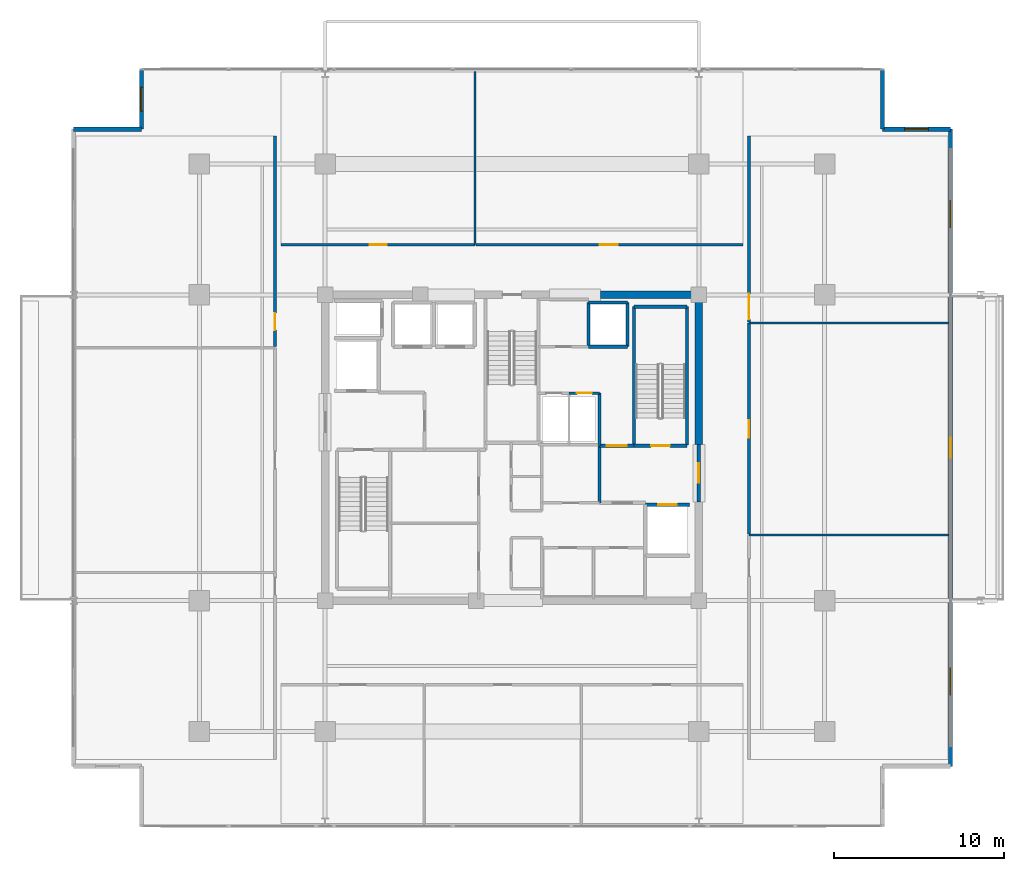
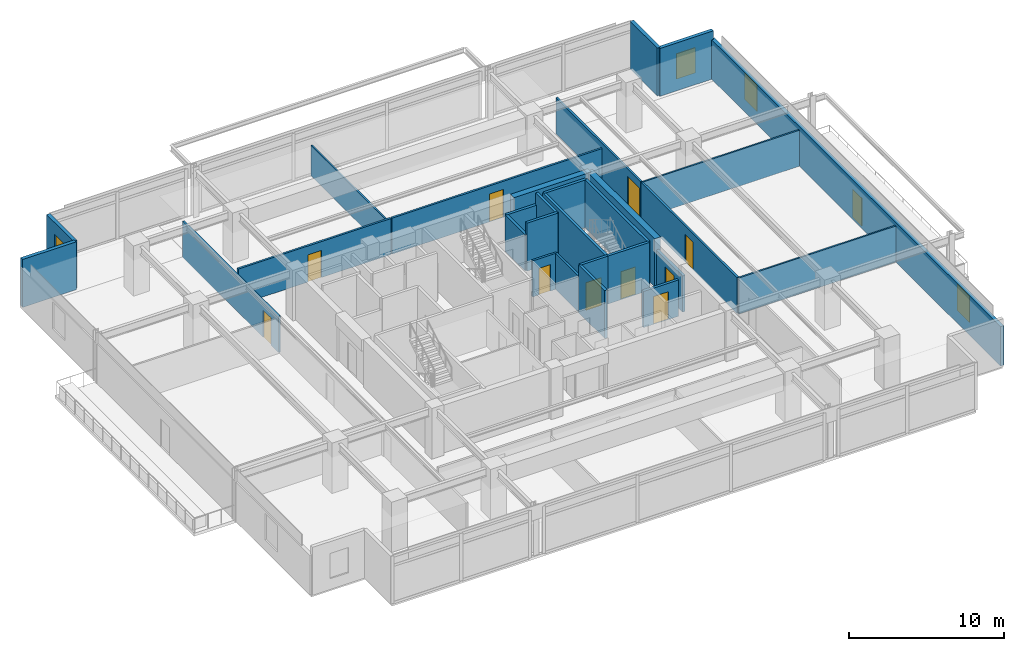
# One storey, part 15 of 20: 29 walls, 11 doors, 4 windows, 15 openings.
"""IFC4 building model written with IfcOpenShell, lengths in metres."""

import ifcopenshell
import ifcopenshell.guid

model = None  # the IFC model being written
_history = None  # IfcOwnerHistory: only IFC2X3 demands one
_inside = {}  # id of a spatial element -> (the spatial element, [elements in it])
_under = {}  # id of a project, library or spatial element -> (it, [spatial elements below it])
_declared = {}  # id of a project -> (the project, [libraries it declares])
_typed = {}  # id of a type object -> (the type object, [elements of that type])
_made_of = {}  # id of a material, layer set ... -> (it, [elements and type objects made of it])


def new_model(schema):
    """Start an empty IFC model of exactly this schema.

    Asked for "IFC4X3", IfcOpenShell would pick the latest addendum, in which some entities
    have other attributes; the version numbers below select the first issue.
    IFC2X3 requires an IfcOwnerHistory on every rooted entity: one is made here for all.
    """
    global model, _history
    if schema == "IFC4X3":
        model = ifcopenshell.file(schema_version=(4, 3, 0, 0))
    else:
        model = ifcopenshell.file(schema=schema)
    _inside.clear()
    _under.clear()
    _declared.clear()
    _typed.clear()
    _made_of.clear()
    _history = None
    if model.schema == "IFC2X3":
        org = make("IfcOrganization", Name="unknown")
        user = make(
            "IfcPersonAndOrganization",
            ThePerson=make("IfcPerson", FamilyName="unknown"),
            TheOrganization=org,
        )
        app = make(
            "IfcApplication",
            ApplicationDeveloper=org,
            Version="unknown",
            ApplicationFullName="unknown",
            ApplicationIdentifier="unknown",
        )
        _history = make(
            "IfcOwnerHistory",
            OwningUser=user,
            OwningApplication=app,
            ChangeAction="ADDED",
            CreationDate=0,
        )
    return model


def make(cls, **values):
    """One entity of the class cls with the attributes given. An attribute that is None is left unset."""
    return model.create_entity(
        cls, **{name: value for name, value in values.items() if value is not None}
    )


def rooted(cls, **values):
    """An entity with a GlobalId (a new one), such as an element, a storey or a relation."""
    return make(cls, GlobalId=ifcopenshell.guid.new(), OwnerHistory=_history, **values)


def si_unit(unit_type, name, prefix=None):
    """IfcSIUnit, for example si_unit("LENGTHUNIT", "METRE", prefix="MILLI")."""
    return make("IfcSIUnit", UnitType=unit_type, Prefix=prefix, Name=name)


def assignment(units):
    """IfcUnitAssignment: the units of a project."""
    return None if units is None else make("IfcUnitAssignment", Units=units)


def point(xyz):
    """IfcCartesianPoint."""
    return None if xyz is None else make("IfcCartesianPoint", Coordinates=xyz)


def direction(xyz):
    """IfcDirection."""
    return None if xyz is None else make("IfcDirection", DirectionRatios=xyz)


def frame(location, z_axis=None, x_axis=None):
    """IfcAxis2Placement3D, a coordinate frame: its origin and axes. An axis left out is left unset."""
    return make(
        "IfcAxis2Placement3D",
        Location=point(location),
        Axis=direction(z_axis),
        RefDirection=direction(x_axis),
    )


def frame_2d(location, x_axis=None):
    """IfcAxis2Placement2D, a coordinate frame in the plane: its origin and x axis."""
    return make(
        "IfcAxis2Placement2D", Location=point(location), RefDirection=direction(x_axis)
    )


def origin():
    """The frame at (0, 0, 0) with its axes left unset."""
    return frame((0.0, 0.0, 0.0))


def place(relative_to, where):
    """IfcLocalPlacement: puts the frame where relative to a parent placement (None: the world)."""
    return make(
        "IfcLocalPlacement", PlacementRelTo=relative_to, RelativePlacement=where
    )


def context(
    kind, dimensions, precision=None, world=None, true_north=None, identifier=None
):
    """IfcGeometricRepresentationContext, for example the 3D "Model" context."""
    return make(
        "IfcGeometricRepresentationContext",
        ContextIdentifier=identifier,
        ContextType=kind,
        CoordinateSpaceDimension=dimensions,
        Precision=precision,
        WorldCoordinateSystem=world,
        TrueNorth=true_north,
    )


def subcontext(parent, identifier, kind, view, scale=None):
    """IfcGeometricRepresentationSubContext, for example "Body" below "Model"."""
    return make(
        "IfcGeometricRepresentationSubContext",
        ContextIdentifier=identifier,
        ContextType=kind,
        ParentContext=parent,
        TargetScale=scale,
        TargetView=view,
    )


def project(units=None, contexts=None):
    """IfcProject with its units and contexts."""
    return rooted(
        "IfcProject",
        Name="project",
        RepresentationContexts=contexts,
        UnitsInContext=assignment(units),
    )


def spatial(cls, under=None, at=None, **own):
    """A site, building, storey or space (cls), placed at a placement, below another one or the project."""
    s = rooted(cls, ObjectPlacement=at, **own)
    if under is not None:
        _under.setdefault(under.id(), (under, []))[1].append(s)
    return s


def profile(cls, at=None, kind="AREA", **sizes):
    """A parametric profile (cls). Its sizes go by their IFC names, for example OverallWidth=200.0."""
    return make(cls, ProfileType=kind, Position=at, **sizes)


def rectangle(**sizes):
    """IfcRectangleProfileDef."""
    return profile("IfcRectangleProfileDef", **sizes)


def extrude(swept, where, along, depth):
    """IfcExtrudedAreaSolid: the profile swept, set in the frame where, extruded along a direction by depth."""
    return make(
        "IfcExtrudedAreaSolid",
        SweptArea=swept,
        Position=where,
        ExtrudedDirection=direction(along),
        Depth=depth,
    )


def shape(context_of_items, identifier, shape_type, items):
    """IfcShapeRepresentation: the items that make up one representation, for example the "Body"."""
    return make(
        "IfcShapeRepresentation",
        ContextOfItems=context_of_items,
        RepresentationIdentifier=identifier,
        RepresentationType=shape_type,
        Items=items,
    )


def material(Name=None, Category=None):
    """IfcMaterial."""
    return make("IfcMaterial", Name=Name, Category=Category)


def layer(
    of_material, thickness, ventilated=None, Name=None, Category=None, Priority=None
):
    """IfcMaterialLayer: one layer of a wall or slab, of a material (None: an air gap)."""
    return make(
        "IfcMaterialLayer",
        Material=of_material,
        LayerThickness=thickness,
        IsVentilated=ventilated,
        Name=Name,
        Category=Category,
        Priority=Priority,
    )


def layer_set(layers, Name=None):
    """IfcMaterialLayerSet."""
    return make("IfcMaterialLayerSet", MaterialLayers=layers, LayerSetName=Name)


def made_of(thing, what):
    """Note that an element or type object is made of a material, layer set ...; save() writes the relation."""
    if what is not None:
        _made_of.setdefault(what.id(), (what, []))[1].append(thing)
    return thing


def type_object(cls, material=None, **own):
    """A type object (cls), such as IfcWallType, which elements share."""
    return made_of(rooted(cls, **own), material)


def element(
    cls,
    number,
    at=None,
    inside=None,
    cuts=None,
    type_object=None,
    material=None,
    context=None,
    identifier="Body",
    shape_type=None,
    held_by="IfcProductDefinitionShape",
    body=None,
    shapes=None,
    **own,
):
    """One element of the class cls, such as IfcWall. Its Tag is "e" and its number.

    at: its placement. inside: the storey or other place that contains it. cuts: it is an
    opening in that element (IfcRelVoidsElement). A single representation is given by context,
    identifier, shape_type and body (its items); several are given by shapes. held_by: the class
    of the entity that holds the representations. save() writes the other relations.
    """
    e = rooted(cls, Tag="e%d" % number, ObjectPlacement=at, **own)
    if body is not None:
        shapes = [shape(context, identifier, shape_type, body)]
    if shapes is not None:
        e.Representation = make(held_by, Representations=shapes)
    if inside is not None:
        _inside.setdefault(inside.id(), (inside, []))[1].append(e)
    if cuts is not None:
        rooted(
            "IfcRelVoidsElement", RelatingBuildingElement=cuts, RelatedOpeningElement=e
        )
    if type_object is not None:
        _typed.setdefault(type_object.id(), (type_object, []))[1].append(e)
    return made_of(e, material)


def fill(opening, filler):
    """IfcRelFillsElement: the door or window that sits in an opening."""
    return rooted(
        "IfcRelFillsElement",
        RelatingOpeningElement=opening,
        RelatedBuildingElement=filler,
    )


def aggregate(whole, parts):
    """IfcRelAggregates: a whole, such as a stair, and the parts it consists of."""
    return rooted("IfcRelAggregates", RelatingObject=whole, RelatedObjects=parts)


def save(model, path):
    """Write the relations noted so far, then the file.

    IfcRelAggregates (storeys below a building ...), IfcRelContainedInSpatialStructure (elements
    in a storey), IfcRelDefinesByType, IfcRelAssociatesMaterial and IfcRelDeclares: one each for
    every whole, place, type object, material and project.
    """
    for whole, parts in _under.values():
        aggregate(whole, parts)
    for where, things in _inside.values():
        rooted(
            "IfcRelContainedInSpatialStructure",
            RelatedElements=things,
            RelatingStructure=where,
        )
    for kind, things in _typed.values():
        rooted("IfcRelDefinesByType", RelatedObjects=things, RelatingType=kind)
    for what, things in _made_of.values():
        rooted("IfcRelAssociatesMaterial", RelatedObjects=things, RelatingMaterial=what)
    for by, libraries in _declared.values():
        rooted("IfcRelDeclares", RelatingContext=by, RelatedDefinitions=libraries)
    model.write(path)


model = new_model("IFC4")

# Units and contexts
model_context = context("Model", 3, precision=1e-05, world=origin(), true_north=direction((0.0, 1.0)))
body_context = subcontext(model_context, "Body", "Model", "MODEL_VIEW")
ifc_project = project(units=[si_unit("LENGTHUNIT", "METRE"), si_unit("AREAUNIT", "SQUARE_METRE"), si_unit("VOLUMEUNIT", "CUBIC_METRE"), si_unit("PLANEANGLEUNIT", "RADIAN"), si_unit("MASSUNIT", "GRAM", prefix="KILO")], contexts=[model_context])

# Site, building, storey
site_placement = place(None, origin())
site = spatial("IfcSite", under=ifc_project, at=site_placement, CompositionType="ELEMENT")
building_placement = place(site_placement, origin())
building = spatial("IfcBuilding", under=site, at=building_placement, Name="Kovane Verandah Tower", CompositionType="ELEMENT")
storey_placement = place(building_placement, frame((0.0, 0.0, 279.199951171875)))
storey = spatial("IfcBuildingStorey", under=building, at=storey_placement, Name="L65", CompositionType="ELEMENT", Elevation=279.199951171875)

# Wall
ifc_material_1 = material(Name="Fire-Rated Gypsum Stud Partition", Category="gypsum")
ifc_layer_1 = layer(ifc_material_1, 0.14990234375)
ifc_layer_set_1 = layer_set([ifc_layer_1], Name="Fire-Rated Gypsum Stud Partition")
wall_type_1 = type_object("IfcWallType", Name="WL-COR-150", PredefinedType="PARTITIONING", material=ifc_layer_set_1)
wall_1_placement = place(storey_placement, frame((45.14990234375, 27.6201171875, 0.0), z_axis=(0.0, 0.0, 1.0), x_axis=(0.0, 1.0, 0.0)))
element("IfcWall", 1, at=wall_1_placement, inside=storey, type_object=wall_type_1, Name="L65 East Core Service Riser East Wall", PredefinedType="PARTITIONING", context=body_context, shape_type="SweptSolid", body=[
    extrude(rectangle(XDim=3.099853515625, YDim=0.14990234375, at=frame_2d((1.5498046875, 0.0))), origin(), (0.0, 0.0, 1.0), 2.85009765625),
])

# Wall, opening, door
wall_2_placement = place(storey_placement, frame((43.360107421875, 30.719970703125, 0.0), z_axis=(0.0, 0.0, 1.0), x_axis=(1.0, 0.0, 0.0)))
wall_2 = element("IfcWall", 2, at=wall_2_placement, inside=storey, type_object=wall_type_1, Name="L65 Smoke Extract Duct Room Partition", PredefinedType="PARTITIONING", context=body_context, shape_type="SweptSolid", body=[
    extrude(rectangle(XDim=1.789794921875, YDim=0.14990234375, at=frame_2d((0.89501953125, 0.0))), origin(), (0.0, 0.0, 1.0), 2.85009765625),
])
opening_1_placement = place(wall_2_placement, frame((0.455078125, 0.0, 0.0)))
opening_1 = element("IfcOpeningElement", 3, at=opening_1_placement, cuts=wall_2, Name="Opening DR-L65-021", PredefinedType="OPENING", context=body_context, shape_type="SweptSolid", body=[
    extrude(rectangle(XDim=0.8798828125, YDim=2.10009765625, at=frame_2d((0.43994140625, 1.050048828125))), frame((0.0, 0.074951171875, 0.0), z_axis=(0.0, -1.0, 0.0), x_axis=(1.0, 0.0, 0.0)), (0.0, 0.0, 1.0), 0.14990234375),
])
ifc_material_2 = material(Name="Fire-Rated Steel Riser Access Door", Category="steel")
door_type_1 = type_object("IfcDoorType", Name="DR-RISER-880", OperationType="SINGLE_SWING_LEFT", PredefinedType="DOOR", material=ifc_material_2)
door_1_placement = place(opening_1_placement, origin())
door_1 = element("IfcDoor", 4, at=door_1_placement, inside=storey, type_object=door_type_1, Name="L65 Smoke Extract Duct Room Door", OperationType="SINGLE_SWING_LEFT", OverallHeight=2.10009765625, OverallWidth=0.8798828125, PredefinedType="DOOR", context=body_context, shape_type="SweptSolid", body=[
    extrude(rectangle(XDim=0.8798828125, YDim=2.10009765625, at=frame_2d((0.43994140625, 1.050048828125))), frame((0.0, 0.02490234375, 0.0), z_axis=(0.0, -1.0, 0.0), x_axis=(1.0, 0.0, 0.0)), (0.0, 0.0, 1.0), 0.050048828125),
])
fill(opening_1, door_1)

wall_3_placement = place(storey_placement, frame((26.39990234375, 39.449951171875, 0.0), z_axis=(0.0, 0.0, 1.0), x_axis=(1.0, 0.0, 0.0)))
wall_3 = element("IfcWall", 5, at=wall_3_placement, inside=storey, type_object=wall_type_1, Name="L65 Open Plan Office N1 Corridor Partition", PredefinedType="PARTITIONING", context=body_context, shape_type="SweptSolid", body=[
    extrude(rectangle(XDim=11.424072265625, YDim=0.14990234375, at=frame_2d((5.7119140625, 0.0))), origin(), (0.0, 0.0, 1.0), 2.85009765625),
])
opening_2_placement = place(wall_3_placement, frame((5.22705078125, 0.0, 0.0)))
opening_2 = element("IfcOpeningElement", 6, at=opening_2_placement, cuts=wall_3, Name="Opening DR-L65-022", PredefinedType="OPENING", context=body_context, shape_type="SweptSolid", body=[
    extrude(rectangle(XDim=1.0, YDim=2.14990234375, at=frame_2d((0.5, 1.074951171875))), frame((0.0, 0.074951171875, 0.0), z_axis=(0.0, -1.0, 0.0), x_axis=(1.0, 0.0, 0.0)), (0.0, 0.0, 1.0), 0.14990234375),
])
ifc_material_3 = material(Name="FSC Spotted-Gum Timber Fire-Rated Office Door", Category="wood")
door_type_2 = type_object("IfcDoorType", Name="DR-OFF-1000", OperationType="SINGLE_SWING_LEFT", PredefinedType="DOOR", material=ifc_material_3)
door_2_placement = place(opening_2_placement, origin())
door_2 = element("IfcDoor", 7, at=door_2_placement, inside=storey, type_object=door_type_2, Name="L65 Open Plan Office N1 Entrance Door", OperationType="SINGLE_SWING_LEFT", OverallHeight=2.14990234375, OverallWidth=1.0, PredefinedType="DOOR", context=body_context, shape_type="SweptSolid", body=[
    extrude(rectangle(XDim=1.0, YDim=2.14990234375, at=frame_2d((0.5, 1.074951171875))), frame((0.0, 0.02490234375, 0.0), z_axis=(0.0, -1.0, 0.0), x_axis=(1.0, 0.0, 0.0)), (0.0, 0.0, 1.0), 0.050048828125),
])
fill(opening_2, door_2)

wall_4_placement = place(storey_placement, frame((37.89404296875, 39.449951171875, 0.0), z_axis=(0.0, 0.0, 1.0), x_axis=(1.0, 0.0, 0.0)))
wall_4 = element("IfcWall", 8, at=wall_4_placement, inside=storey, type_object=wall_type_1, Name="L65 Executive Office N2 Corridor Partition", PredefinedType="PARTITIONING", context=body_context, shape_type="SweptSolid", body=[
    extrude(rectangle(XDim=15.7060546875, YDim=0.14990234375, at=frame_2d((7.85302734375, 0.0))), origin(), (0.0, 0.0, 1.0), 2.85009765625),
])
opening_3_placement = place(wall_4_placement, frame((7.278076171875, 0.0, 0.0)))
opening_3 = element("IfcOpeningElement", 9, at=opening_3_placement, cuts=wall_4, Name="Opening DR-L65-023", PredefinedType="OPENING", context=body_context, shape_type="SweptSolid", body=[
    extrude(rectangle(XDim=1.050048828125, YDim=2.199951171875, at=frame_2d((0.52490234375, 1.10009765625))), frame((0.0, 0.074951171875, 0.0), z_axis=(0.0, -1.0, 0.0), x_axis=(1.0, 0.0, 0.0)), (0.0, 0.0, 1.0), 0.14990234375),
])
ifc_material_4 = material(Name="FSC Blackbutt Timber Fire-Rated Executive Door", Category="wood")
door_type_3 = type_object("IfcDoorType", Name="DR-EXEC-1050", OperationType="SINGLE_SWING_LEFT", PredefinedType="DOOR", material=ifc_material_4)
door_3_placement = place(opening_3_placement, origin())
door_3 = element("IfcDoor", 10, at=door_3_placement, inside=storey, type_object=door_type_3, Name="L65 Executive Office N2 Entrance Door", OperationType="SINGLE_SWING_RIGHT", OverallHeight=2.199951171875, OverallWidth=1.050048828125, PredefinedType="DOOR", context=body_context, shape_type="SweptSolid", body=[
    extrude(rectangle(XDim=1.050048828125, YDim=2.199951171875, at=frame_2d((0.52490234375, 1.10009765625))), frame((0.0, 0.02490234375, 0.0), z_axis=(0.0, -1.0, 0.0), x_axis=(1.0, 0.0, 0.0)), (0.0, 0.0, 1.0), 0.050048828125),
])
fill(opening_3, door_3)

wall_5_placement = place(storey_placement, frame((26.050048828125, 33.444091796875, 0.0), z_axis=(0.0, 0.0, 1.0), x_axis=(0.0, 1.0, 0.0)))
wall_5 = element("IfcWall", 11, at=wall_5_placement, inside=storey, type_object=wall_type_1, Name="L65 Document and Print Room W3 Corridor Partition", PredefinedType="PARTITIONING", context=body_context, shape_type="SweptSolid", body=[
    extrude(rectangle(XDim=12.412109375, YDim=0.14990234375, at=frame_2d((6.2060546875, 0.0))), origin(), (0.0, 0.0, 1.0), 2.85009765625),
])
opening_4_placement = place(wall_5_placement, frame((0.97802734375, 0.0, 0.0)))
opening_4 = element("IfcOpeningElement", 12, at=opening_4_placement, cuts=wall_5, Name="Opening DR-L65-032", PredefinedType="OPENING", context=body_context, shape_type="SweptSolid", body=[
    extrude(rectangle(XDim=1.0, YDim=2.14990234375, at=frame_2d((0.5, 1.074951171875))), frame((0.0, 0.074951171875, 0.0), z_axis=(0.0, -1.0, 0.0), x_axis=(1.0, 0.0, 0.0)), (0.0, 0.0, 1.0), 0.14990234375),
])
door_4_placement = place(opening_4_placement, origin())
door_4 = element("IfcDoor", 13, at=door_4_placement, inside=storey, type_object=door_type_2, Name="L65 Document and Print Room W3 Entrance Door", OperationType="SINGLE_SWING_RIGHT", OverallHeight=2.14990234375, OverallWidth=1.0, PredefinedType="DOOR", context=body_context, shape_type="SweptSolid", body=[
    extrude(rectangle(XDim=1.0, YDim=2.14990234375, at=frame_2d((0.5, 1.074951171875))), frame((0.0, 0.02490234375, 0.0), z_axis=(0.0, -1.0, 0.0), x_axis=(1.0, 0.0, 0.0)), (0.0, 0.0, 1.0), 0.050048828125),
])
fill(opening_4, door_4)

wall_6_placement = place(storey_placement, frame((53.949951171875, 22.43017578125, 0.0), z_axis=(0.0, 0.0, 1.0), x_axis=(0.0, 1.0, 0.0)))
wall_6 = element("IfcWall", 14, at=wall_6_placement, inside=storey, type_object=wall_type_1, Name="L65 Executive Office E2 Corridor Partition", PredefinedType="PARTITIONING", context=body_context, shape_type="SweptSolid", body=[
    extrude(rectangle(XDim=12.412353515625, YDim=0.14990234375, at=frame_2d((6.2060546875, 0.0))), origin(), (0.0, 0.0, 1.0), 2.85009765625),
])
opening_5_placement = place(wall_6_placement, frame((5.646240234375, 0.0, 0.0)))
opening_5 = element("IfcOpeningElement", 15, at=opening_5_placement, cuts=wall_6, Name="Opening DR-L65-012", PredefinedType="OPENING", context=body_context, shape_type="SweptSolid", body=[
    extrude(rectangle(XDim=1.050048828125, YDim=2.199951171875, at=frame_2d((0.52490234375, 1.10009765625))), frame((0.0, 0.074951171875, 0.0), z_axis=(0.0, -1.0, 0.0), x_axis=(1.0, 0.0, 0.0)), (0.0, 0.0, 1.0), 0.14990234375),
])
door_5_placement = place(opening_5_placement, origin())
door_5 = element("IfcDoor", 16, at=door_5_placement, inside=storey, type_object=door_type_3, Name="L65 Executive Office E2 Entrance Door", OperationType="SINGLE_SWING_RIGHT", OverallHeight=2.199951171875, OverallWidth=1.050048828125, PredefinedType="DOOR", context=body_context, shape_type="SweptSolid", body=[
    extrude(rectangle(XDim=1.050048828125, YDim=2.199951171875, at=frame_2d((0.52490234375, 1.10009765625))), frame((0.0, 0.02490234375, 0.0), z_axis=(0.0, -1.0, 0.0), x_axis=(1.0, 0.0, 0.0)), (0.0, 0.0, 1.0), 0.050048828125),
])
fill(opening_5, door_5)

wall_7_placement = place(storey_placement, frame((53.949951171875, 34.91259765625, 0.0), z_axis=(0.0, 0.0, 1.0), x_axis=(0.0, 1.0, 0.0)))
wall_7 = element("IfcWall", 17, at=wall_7_placement, inside=storey, type_object=wall_type_1, Name="L65 Client Boardroom E3 Corridor Partition", PredefinedType="PARTITIONING", context=body_context, shape_type="SweptSolid", body=[
    extrude(rectangle(XDim=10.943603515625, YDim=0.14990234375, at=frame_2d((5.4716796875, 0.0))), origin(), (0.0, 0.0, 1.0), 2.85009765625),
])
opening_6_placement = place(wall_7_placement, frame((0.139892578125, 0.0, 0.0)))
opening_6 = element("IfcOpeningElement", 18, at=opening_6_placement, cuts=wall_7, Name="Opening DR-L65-013", PredefinedType="OPENING", context=body_context, shape_type="SweptSolid", body=[
    extrude(rectangle(XDim=1.5, YDim=2.25, at=frame_2d((0.75, 1.125))), frame((0.0, 0.074951171875, 0.0), z_axis=(0.0, -1.0, 0.0), x_axis=(1.0, 0.0, 0.0)), (0.0, 0.0, 1.0), 0.14990234375),
])
ifc_material_5 = material(Name="Glazed Timber Fire-Rated Double Door", Category="wood")
door_type_4 = type_object("IfcDoorType", Name="DR-CONF-1500", OperationType="DOUBLE_DOOR_SINGLE_SWING", PredefinedType="DOOR", material=ifc_material_5)
door_6_placement = place(opening_6_placement, origin())
door_6 = element("IfcDoor", 19, at=door_6_placement, inside=storey, type_object=door_type_4, Name="L65 Client Boardroom E3 Entrance Door", OperationType="DOUBLE_DOOR_SINGLE_SWING", OverallHeight=2.25, OverallWidth=1.5, PredefinedType="DOOR", context=body_context, shape_type="SweptSolid", body=[
    extrude(rectangle(XDim=1.5, YDim=2.25, at=frame_2d((0.75, 1.125))), frame((0.0, 0.02490234375, 0.0), z_axis=(0.0, -1.0, 0.0), x_axis=(1.0, 0.0, 0.0)), (0.0, 0.0, 1.0), 0.050048828125),
])
fill(opening_6, door_6)

# Walls
ifc_material_6 = material(Name="Concrete C60/75", Category="concrete")
ifc_layer_2 = layer(ifc_material_6, 0.449951171875)
ifc_layer_set_2 = layer_set([ifc_layer_2], Name="Concrete C60/75")
wall_type_2 = type_object("IfcWallType", Name="WL-CORE-450", PredefinedType="SHEAR", material=ifc_layer_set_2)
wall_8_placement = place(storey_placement, frame((45.199951171875, 36.5, 0.0), z_axis=(0.0, 0.0, 1.0), x_axis=(1.0, 0.0, 0.0)))
element("IfcWall", 20, at=wall_8_placement, inside=storey, type_object=wall_type_2, Name="L65 Core Shear Wall CN-3", PredefinedType="SHEAR", context=body_context, shape_type="SweptSolid", body=[
    extrude(rectangle(XDim=5.800048828125, YDim=0.449951171875, at=frame_2d((2.89990234375, 0.0))), origin(), (0.0, 0.0, 1.0), 3.78515625),
])
wall_9_placement = place(storey_placement, frame((51.0, 27.699951171875, 0.0), z_axis=(0.0, 0.0, 1.0), x_axis=(0.0, 1.0, 0.0)))
element("IfcWall", 21, at=wall_9_placement, inside=storey, type_object=wall_type_2, Name="L65 Core Shear Wall CE-2", PredefinedType="SHEAR", context=body_context, shape_type="SweptSolid", body=[
    extrude(rectangle(XDim=8.800048828125, YDim=0.449951171875, at=frame_2d((4.39990234375, 0.0))), origin(), (0.0, 0.0, 1.0), 3.78515625),
])
ifc_material_7 = material(Name="Concrete C45/55 Fire Wall", Category="concrete")
ifc_layer_3 = layer(ifc_material_7, 0.199951171875)
ifc_layer_set_3 = layer_set([ifc_layer_3], Name="Concrete C45/55 Fire Wall")
wall_type_3 = type_object("IfcWallType", Name="WL-FFL-200", PredefinedType="PARTITIONING", material=ifc_layer_set_3)
wall_10_placement = place(storey_placement, frame((45.14990234375, 24.25, 0.0), z_axis=(0.0, 0.0, 1.0), x_axis=(0.0, 1.0, 0.0)))
element("IfcWall", 22, at=wall_10_placement, inside=storey, type_object=wall_type_3, Name="L65 East Firefighting Lobby West Fire Wall", PredefinedType="PARTITIONING", context=body_context, shape_type="SweptSolid", body=[
    extrude(rectangle(XDim=3.3701171875, YDim=0.199951171875, at=frame_2d((1.68505859375, 0.0))), origin(), (0.0, 0.0, 1.0), 3.78515625),
])

# Wall, opening, door
wall_11_placement = place(storey_placement, frame((45.14990234375, 27.6201171875, 0.0), z_axis=(0.0, 0.0, 1.0), x_axis=(1.0, 0.0, 0.0)))
wall_11 = element("IfcWall", 23, at=wall_11_placement, inside=storey, type_object=wall_type_3, Name="W-L65-FFLE-N", PredefinedType="PARTITIONING", context=body_context, shape_type="SweptSolid", body=[
    extrude(rectangle(XDim=2.030029296875, YDim=0.199951171875, at=frame_2d((1.01513671875, 0.0))), origin(), (0.0, 0.0, 1.0), 3.78515625),
])
opening_7_placement = place(wall_11_placement, frame((0.43994140625, 0.0, 0.0)))
opening_7 = element("IfcOpeningElement", 24, at=opening_7_placement, cuts=wall_11, Name="Opening DR-L65-004", PredefinedType="OPENING", context=body_context, shape_type="SweptSolid", body=[
    extrude(rectangle(XDim=1.14990234375, YDim=2.199951171875, at=frame_2d((0.574951171875, 1.10009765625))), frame((0.0, 0.10009765625, 0.0), z_axis=(0.0, -1.0, 0.0), x_axis=(1.0, 0.0, 0.0)), (0.0, 0.0, 1.0), 0.199951171875),
])
ifc_material_8 = material(Name="Smoke-Sealed Firefighting Lobby Door", Category="steel")
door_type_5 = type_object("IfcDoorType", Name="DR-FFL-1150", OperationType="SINGLE_SWING_LEFT", PredefinedType="DOOR", material=ifc_material_8)
door_7_placement = place(opening_7_placement, origin())
door_7 = element("IfcDoor", 25, at=door_7_placement, inside=storey, type_object=door_type_5, Name="L65 East Firefighting Lobby Shuttle Link Door", OperationType="SINGLE_SWING_LEFT", OverallHeight=2.199951171875, OverallWidth=1.14990234375, PredefinedType="DOOR", context=body_context, shape_type="SweptSolid", body=[
    extrude(rectangle(XDim=1.14990234375, YDim=2.199951171875, at=frame_2d((0.574951171875, 1.10009765625))), frame((0.0, 0.02490234375, 0.0), z_axis=(0.0, -1.0, 0.0), x_axis=(1.0, 0.0, 0.0)), (0.0, 0.0, 1.0), 0.050048828125),
])
fill(opening_7, door_7)

wall_12_placement = place(storey_placement, frame((51.0, 24.300048828125, 0.0), z_axis=(0.0, 0.0, 1.0), x_axis=(0.0, 1.0, 0.0)))
wall_12 = element("IfcWall", 26, at=wall_12_placement, inside=storey, type_object=wall_type_3, Name="W-L65-FFLE-OUT", PredefinedType="PARTITIONING", context=body_context, shape_type="SweptSolid", body=[
    extrude(rectangle(XDim=3.39990234375, YDim=0.199951171875, at=frame_2d((1.699951171875, 0.0))), origin(), (0.0, 0.0, 1.0), 2.864990234375),
])
opening_8_placement = place(wall_12_placement, frame((1.125, 0.0, 0.0)))
opening_8 = element("IfcOpeningElement", 27, at=opening_8_placement, cuts=wall_12, Name="Opening DR-L65-005", PredefinedType="OPENING", context=body_context, shape_type="SweptSolid", body=[
    extrude(rectangle(XDim=1.14990234375, YDim=2.199951171875, at=frame_2d((0.574951171875, 1.10009765625))), frame((0.0, 0.10009765625, 0.0), z_axis=(0.0, -1.0, 0.0), x_axis=(1.0, 0.0, 0.0)), (0.0, 0.0, 1.0), 0.199951171875),
])
door_8_placement = place(opening_8_placement, origin())
door_8 = element("IfcDoor", 28, at=door_8_placement, inside=storey, type_object=door_type_5, Name="L65 East Firefighting Lobby Corridor Door", OperationType="SINGLE_SWING_LEFT", OverallHeight=2.199951171875, OverallWidth=1.14990234375, PredefinedType="DOOR", context=body_context, shape_type="SweptSolid", body=[
    extrude(rectangle(XDim=1.14990234375, YDim=2.199951171875, at=frame_2d((0.574951171875, 1.10009765625))), frame((0.0, 0.02490234375, 0.0), z_axis=(0.0, -1.0, 0.0), x_axis=(1.0, 0.0, 0.0)), (0.0, 0.0, 1.0), 0.050048828125),
])
fill(opening_8, door_8)

ifc_material_9 = material(Name="Concrete C45/55 Lift Shaft Wall", Category="concrete")
ifc_layer_4 = layer(ifc_material_9, 0.199951171875)
ifc_layer_set_4 = layer_set([ifc_layer_4], Name="Concrete C45/55 Lift Shaft Wall")
wall_type_4 = type_object("IfcWallType", Name="WL-LIFT-200", PredefinedType="SOLIDWALL", material=ifc_layer_set_4)
wall_13_placement = place(storey_placement, frame((50.449951171875, 24.14990234375, 0.0), z_axis=(0.0, 0.0, 1.0), x_axis=(-1.0, 0.0, 0.0)))
wall_13 = element("IfcWall", 29, at=wall_13_placement, inside=storey, type_object=wall_type_4, Name="L65 Lift FL-02 N Shaft Wall", PredefinedType="SOLIDWALL", context=body_context, shape_type="SweptSolid", body=[
    extrude(rectangle(XDim=2.599853515625, YDim=0.199951171875, at=frame_2d((1.2998046875, 0.0))), origin(), (0.0, 0.0, 1.0), 2.864990234375),
])
opening_9_placement = place(wall_13_placement, frame((0.75, 0.0, 0.0)))
opening_9 = element("IfcOpeningElement", 30, at=opening_9_placement, cuts=wall_13, Name="Opening LD-L65-002", PredefinedType="OPENING", context=body_context, shape_type="SweptSolid", body=[
    extrude(rectangle(XDim=1.10009765625, YDim=2.199951171875, at=frame_2d((0.550048828125, 1.10009765625))), frame((0.0, 0.10009765625, 0.0), z_axis=(0.0, -1.0, 0.0), x_axis=(1.0, 0.0, 0.0)), (0.0, 0.0, 1.0), 0.199951171875),
])
ifc_material_10 = material(Name="Brushed Stainless Steel Sliding Lift Landing Door", Category="steel")
door_type_6 = type_object("IfcDoorType", Name="DR-LIFT-1100", OperationType="SLIDING_TO_RIGHT", PredefinedType="DOOR", material=ifc_material_10)
door_9_placement = place(opening_9_placement, origin())
door_9 = element("IfcDoor", 31, at=door_9_placement, inside=storey, type_object=door_type_6, Name="L65 Lift FL-02 Sliding Landing Door", OperationType="SLIDING_TO_RIGHT", OverallHeight=2.199951171875, OverallWidth=1.10009765625, PredefinedType="DOOR", context=body_context, shape_type="SweptSolid", body=[
    extrude(rectangle(XDim=1.10009765625, YDim=2.199951171875, at=frame_2d((0.550048828125, 1.10009765625))), frame((0.0, 0.02490234375, 0.0), z_axis=(0.0, -1.0, 0.0), x_axis=(1.0, 0.0, 0.0)), (0.0, 0.0, 1.0), 0.050048828125),
])
fill(opening_9, door_9)

# Walls
wall_14_placement = place(storey_placement, frame((44.5, 33.449951171875, 0.0), z_axis=(0.0, 0.0, 1.0), x_axis=(1.0, 0.0, 0.0)))
element("IfcWall", 32, at=wall_14_placement, inside=storey, type_object=wall_type_4, Name="L65 Lift OL-01 S Shaft Wall", PredefinedType="SOLIDWALL", context=body_context, shape_type="SweptSolid", body=[
    extrude(rectangle(XDim=2.300048828125, YDim=0.199951171875, at=frame_2d((1.14990234375, 0.0))), origin(), (0.0, 0.0, 1.0), 3.78515625),
])
wall_15_placement = place(storey_placement, frame((46.800048828125, 36.050048828125, 0.0), z_axis=(0.0, 0.0, 1.0), x_axis=(-1.0, 0.0, 0.0)))
element("IfcWall", 33, at=wall_15_placement, inside=storey, type_object=wall_type_4, Name="L65 Lift OL-01 N Shaft Wall", PredefinedType="SOLIDWALL", context=body_context, shape_type="SweptSolid", body=[
    extrude(rectangle(XDim=2.300048828125, YDim=0.199951171875, at=frame_2d((1.14990234375, 0.0))), origin(), (0.0, 0.0, 1.0), 2.864990234375),
])
wall_16_placement = place(storey_placement, frame((44.5, 36.050048828125, 0.0), z_axis=(0.0, 0.0, 1.0), x_axis=(0.0, -1.0, 0.0)))
element("IfcWall", 34, at=wall_16_placement, inside=storey, type_object=wall_type_4, Name="L65 Lift OL-01 W Shaft Wall", PredefinedType="SOLIDWALL", context=body_context, shape_type="SweptSolid", body=[
    extrude(rectangle(XDim=2.60009765625, YDim=0.199951171875, at=frame_2d((1.300048828125, 0.0))), origin(), (0.0, 0.0, 1.0), 2.864990234375),
])
wall_17_placement = place(storey_placement, frame((46.800048828125, 33.449951171875, 0.0), z_axis=(0.0, 0.0, 1.0), x_axis=(0.0, 1.0, 0.0)))
element("IfcWall", 35, at=wall_17_placement, inside=storey, type_object=wall_type_4, Name="L65 Lift OL-01 E Shaft Wall", PredefinedType="SOLIDWALL", context=body_context, shape_type="SweptSolid", body=[
    extrude(rectangle(XDim=2.60009765625, YDim=0.199951171875, at=frame_2d((1.300048828125, 0.0))), origin(), (0.0, 0.0, 1.0), 3.78515625),
])
ifc_material_11 = material(Name="Acoustic Fire-Rated Gypsum Partition", Category="gypsum")
ifc_layer_5 = layer(ifc_material_11, 0.1201171875)
ifc_layer_set_5 = layer_set([ifc_layer_5], Name="Acoustic Fire-Rated Gypsum Partition")
wall_type_5 = type_object("IfcWallType", Name="WL-PART-120", PredefinedType="PARTITIONING", material=ifc_layer_set_5)
wall_18_placement = place(storey_placement, frame((37.823974609375, 39.449951171875, 0.0), z_axis=(0.0, 0.0, 1.0), x_axis=(0.0, 1.0, 0.0)))
element("IfcWall", 36, at=wall_18_placement, inside=storey, type_object=wall_type_5, Name="L65 Open Plan Office N1 Dividing Partition", PredefinedType="PARTITIONING", context=body_context, shape_type="SweptSolid", body=[
    extrude(rectangle(XDim=10.206298828125, YDim=0.1201171875, at=frame_2d((5.10302734375, 0.0))), origin(), (0.0, 0.0, 1.0), 2.4150390625),
])
for number, where, z_axis, x_axis, name in (
    (37, (53.949951171875, 22.360107421875, 0.0), (0.0, 0.0, 1.0), (1.0, 0.0, 0.0), "L65 Open Plan Office E1 Dividing Partition"),
    (38, (53.949951171875, 34.842529296875, 0.0), (0.0, 0.0, 1.0), (1.0, 0.0, 0.0), "L65 Executive Office E2 Dividing Partition"),
):
    element("IfcWall", number, at=place(storey_placement, frame(where, z_axis=z_axis, x_axis=x_axis)), inside=storey, type_object=wall_type_5, Name=name, PredefinedType="PARTITIONING", context=body_context, shape_type="SweptSolid", body=[
        extrude(rectangle(XDim=11.759765625, YDim=0.1201171875, at=frame_2d((5.8798828125, 0.0))), origin(), (0.0, 0.0, 1.0), 2.85009765625),
    ])
ifc_material_12 = material(Name="Concrete C45/55", Category="concrete")
ifc_layer_6 = layer(ifc_material_12, 0.199951171875)
ifc_layer_set_6 = layer_set([ifc_layer_6], Name="Concrete C45/55")
wall_type_6 = type_object("IfcWallType", Name="WL-SHAFT-200", PredefinedType="SOLIDWALL", material=ifc_layer_set_6)
wall_19_placement = place(storey_placement, frame((50.300048828125, 27.64990234375, 0.0), z_axis=(0.0, 0.0, 1.0), x_axis=(0.0, 1.0, 0.0)))
element("IfcWall", 39, at=wall_19_placement, inside=storey, type_object=wall_type_6, Name="W-L65-ST02-E", PredefinedType="SOLIDWALL", context=body_context, shape_type="SweptSolid", body=[
    extrude(rectangle(XDim=8.150146484375, YDim=0.199951171875, at=frame_2d((4.0751953125, 0.0))), origin(), (0.0, 0.0, 1.0), 3.78515625),
])
wall_20_placement = place(storey_placement, frame((47.179931640625, 35.800048828125, 0.0), z_axis=(0.0, 0.0, 1.0), x_axis=(1.0, 0.0, 0.0)))
element("IfcWall", 40, at=wall_20_placement, inside=storey, type_object=wall_type_6, Name="W-L65-ST02-N", PredefinedType="SOLIDWALL", context=body_context, shape_type="SweptSolid", body=[
    extrude(rectangle(XDim=3.1201171875, YDim=0.199951171875, at=frame_2d((1.56005859375, 0.0))), origin(), (0.0, 0.0, 1.0), 3.78515625),
])
wall_21_placement = place(storey_placement, frame((47.179931640625, 27.6201171875, 0.0), z_axis=(0.0, 0.0, 1.0), x_axis=(0.0, 1.0, 0.0)))
element("IfcWall", 41, at=wall_21_placement, inside=storey, type_object=wall_type_6, Name="W-L65-ST02-W", PredefinedType="SOLIDWALL", context=body_context, shape_type="SweptSolid", body=[
    extrude(rectangle(XDim=8.179931640625, YDim=0.199951171875, at=frame_2d((4.08984375, 0.0))), origin(), (0.0, 0.0, 1.0), 3.78515625),
])

# Wall, opening, door
wall_22_placement = place(storey_placement, frame((47.179931640625, 27.6201171875, 0.0), z_axis=(0.0, 0.0, 1.0), x_axis=(1.0, 0.0, 0.0)))
wall_22 = element("IfcWall", 42, at=wall_22_placement, inside=storey, type_object=wall_type_6, Name="W-L65-ST02-S", PredefinedType="SOLIDWALL", context=body_context, shape_type="SweptSolid", body=[
    extrude(rectangle(XDim=3.1201171875, YDim=0.199951171875, at=frame_2d((1.56005859375, 0.0))), origin(), (0.0, 0.0, 1.0), 3.78515625),
])
opening_10_placement = place(wall_22_placement, frame((1.010009765625, 0.0, 0.0)))
opening_10 = element("IfcOpeningElement", 43, at=opening_10_placement, cuts=wall_22, Name="Opening DR-L65-009", PredefinedType="OPENING", context=body_context, shape_type="SweptSolid", body=[
    extrude(rectangle(XDim=1.10009765625, YDim=2.14990234375, at=frame_2d((0.550048828125, 1.074951171875))), frame((0.0, 0.10009765625, 0.0), z_axis=(0.0, -1.0, 0.0), x_axis=(1.0, 0.0, 0.0)), (0.0, 0.0, 1.0), 0.199951171875),
])
ifc_material_13 = material(Name="Fire-Rated Steel Exit Door", Category="steel")
door_type_7 = type_object("IfcDoorType", Name="DR-STAIR-1100", OperationType="SINGLE_SWING_LEFT", PredefinedType="DOOR", material=ifc_material_13)
door_10_placement = place(opening_10_placement, origin())
door_10 = element("IfcDoor", 44, at=door_10_placement, inside=storey, type_object=door_type_7, Name="L65 ST-02 Fire Exit Stair Door", OperationType="SINGLE_SWING_RIGHT", OverallHeight=2.14990234375, OverallWidth=1.10009765625, PredefinedType="DOOR", context=body_context, shape_type="SweptSolid", body=[
    extrude(rectangle(XDim=1.10009765625, YDim=2.14990234375, at=frame_2d((0.550048828125, 1.074951171875))), frame((0.0, 0.02490234375, 0.0), z_axis=(0.0, -1.0, 0.0), x_axis=(1.0, 0.0, 0.0)), (0.0, 0.0, 1.0), 0.050048828125),
])
fill(opening_10, door_10)

# Wall, openings, door, windows
ifc_material_14 = material(Name="Concrete C45/55 Insulated Spandrel Wall", Category="concrete")
ifc_layer_7 = layer(ifc_material_14, 0.260009765625)
ifc_layer_set_7 = layer_set([ifc_layer_7], Name="Concrete C45/55 Insulated Spandrel Wall")
wall_type_7 = type_object("IfcWallType", Name="WL-SPANDREL-260", PredefinedType="PARAPET", material=ifc_layer_set_7)
wall_23_placement = place(storey_placement, frame((65.809814453125, 8.74365234375, 0.0), z_axis=(0.0, 0.0, 1.0), x_axis=(0.0, 1.0, 0.0)))
wall_23 = element("IfcWall", 45, at=wall_23_placement, inside=storey, type_object=wall_type_7, Name="L65 E Verandah Access Facade Wall", PredefinedType="PARAPET", context=body_context, shape_type="SweptSolid", body=[
    extrude(rectangle(XDim=37.5126953125, YDim=0.260009765625, at=frame_2d((18.75634765625, 0.0))), origin(), (0.0, 0.0, 1.0), 3.122802734375),
])
opening_11_placement = place(wall_23_placement, frame((4.199951171875, 0.0, 0.85009765625)))
opening_11 = element("IfcOpeningElement", 46, at=opening_11_placement, cuts=wall_23, Name="Opening W-02", PredefinedType="OPENING", context=body_context, shape_type="SweptSolid", body=[
    extrude(rectangle(XDim=1.60009765625, YDim=2.10009765625, at=frame_2d((0.800048828125, 1.050048828125))), frame((0.0, 0.1298828125, 0.0), z_axis=(0.0, -1.0, 0.0), x_axis=(1.0, 0.0, 0.0)), (0.0, 0.0, 1.0), 0.260009765625),
])
opening_12_placement = place(wall_23_placement, frame((18.15625, 0.0, 0.0)))
opening_12 = element("IfcOpeningElement", 47, at=opening_12_placement, cuts=wall_23, Name="Opening DR-L65-001", PredefinedType="OPENING", context=body_context, shape_type="SweptSolid", body=[
    extrude(rectangle(XDim=1.199951171875, YDim=2.199951171875, at=frame_2d((0.60009765625, 1.10009765625))), frame((0.0, 0.1298828125, 0.0), z_axis=(0.0, -1.0, 0.0), x_axis=(1.0, 0.0, 0.0)), (0.0, 0.0, 1.0), 0.260009765625),
])
opening_13_placement = place(wall_23_placement, frame((31.712646484375, 0.0, 0.85009765625)))
opening_13 = element("IfcOpeningElement", 48, at=opening_13_placement, cuts=wall_23, Name="Opening W-02", PredefinedType="OPENING", context=body_context, shape_type="SweptSolid", body=[
    extrude(rectangle(XDim=1.60009765625, YDim=2.10009765625, at=frame_2d((0.800048828125, 1.050048828125))), frame((0.0, 0.1298828125, 0.0), z_axis=(0.0, -1.0, 0.0), x_axis=(1.0, 0.0, 0.0)), (0.0, 0.0, 1.0), 0.260009765625),
])
ifc_material_15 = material(Name="Cyclone-Rated Glazed Balcony Leaf Door", Category="aluminium")
door_type_8 = type_object("IfcDoorType", Name="DR-BAL-1200x2200", OperationType="SINGLE_SWING_LEFT", PredefinedType="DOOR", material=ifc_material_15)
door_11_placement = place(opening_12_placement, origin())
door_11 = element("IfcDoor", 49, at=door_11_placement, inside=storey, type_object=door_type_8, Name="L65 E Planted Balcony Access Door", OperationType="SINGLE_SWING_LEFT", OverallHeight=2.199951171875, OverallWidth=1.199951171875, PredefinedType="DOOR", context=body_context, shape_type="SweptSolid", body=[
    extrude(rectangle(XDim=1.199951171875, YDim=2.199951171875, at=frame_2d((0.60009765625, 1.10009765625))), frame((0.0, 0.02490234375, 0.0), z_axis=(0.0, -1.0, 0.0), x_axis=(1.0, 0.0, 0.0)), (0.0, 0.0, 1.0), 0.050048828125),
])
fill(opening_12, door_11)
ifc_material_16 = material(Name="Clear Low-E Laminated Double Glazing in Anodised Frame", Category="glass")
window_type_1 = type_object("IfcWindowType", Name="WN-OPER-1600x2100", PartitioningType="SINGLE_PANEL", PredefinedType="WINDOW", material=ifc_material_16)
window_1_placement = place(opening_11_placement, origin())
window_1 = element("IfcWindow", 50, at=window_1_placement, inside=storey, type_object=window_type_1, Name="L65 E Verandah View Window 1", OverallHeight=2.10009765625, OverallWidth=1.60009765625, PartitioningType="SINGLE_PANEL", PredefinedType="WINDOW", context=body_context, shape_type="SweptSolid", body=[
    extrude(rectangle(XDim=1.60009765625, YDim=2.10009765625, at=frame_2d((0.800048828125, 1.050048828125))), frame((0.0, 0.030029296875, 0.0), z_axis=(0.0, -1.0, 0.0), x_axis=(1.0, 0.0, 0.0)), (0.0, 0.0, 1.0), 0.06005859375),
])
fill(opening_11, window_1)
window_2_placement = place(opening_13_placement, origin())
window_2 = element("IfcWindow", 51, at=window_2_placement, inside=storey, type_object=window_type_1, Name="L65 E Verandah View Window 2", OverallHeight=2.10009765625, OverallWidth=1.60009765625, PartitioningType="SINGLE_PANEL", PredefinedType="WINDOW", context=body_context, shape_type="SweptSolid", body=[
    extrude(rectangle(XDim=1.60009765625, YDim=2.10009765625, at=frame_2d((0.800048828125, 1.050048828125))), frame((0.0, 0.030029296875, 0.0), z_axis=(0.0, -1.0, 0.0), x_axis=(1.0, 0.0, 0.0)), (0.0, 0.0, 1.0), 0.06005859375),
])
fill(opening_13, window_2)

# Wall, opening, window
wall_24_placement = place(storey_placement, frame((65.809814453125, 46.25634765625, 0.0), z_axis=(0.0, 0.0, 1.0), x_axis=(-1.0, 0.0, 0.0)))
wall_24 = element("IfcWall", 52, at=wall_24_placement, inside=storey, type_object=wall_type_7, Name="L65 NE Notch Cheek Wall 1", PredefinedType="PARAPET", context=body_context, shape_type="SweptSolid", body=[
    extrude(rectangle(XDim=4.0, YDim=0.260009765625, at=frame_2d((2.0, 0.0))), origin(), (0.0, 0.0, 1.0), 3.78515625),
])
opening_14_placement = place(wall_24_placement, frame((1.300048828125, 0.0, 0.85009765625)))
opening_14 = element("IfcOpeningElement", 53, at=opening_14_placement, cuts=wall_24, Name="Opening W-01", PredefinedType="OPENING", context=body_context, shape_type="SweptSolid", body=[
    extrude(rectangle(XDim=1.39990234375, YDim=2.0, at=frame_2d((0.699951171875, 1.0))), frame((0.0, 0.1298828125, 0.0), z_axis=(0.0, -1.0, 0.0), x_axis=(1.0, 0.0, 0.0)), (0.0, 0.0, 1.0), 0.260009765625),
])
window_type_2 = type_object("IfcWindowType", Name="WN-OPER-1400x2000", PartitioningType="SINGLE_PANEL", PredefinedType="WINDOW", material=ifc_material_16)
window_3_placement = place(opening_14_placement, origin())
window_3 = element("IfcWindow", 54, at=window_3_placement, inside=storey, type_object=window_type_2, Name="L65 NE Re-Entrant Corner Operable Window", OverallHeight=2.0, OverallWidth=1.39990234375, PartitioningType="SINGLE_PANEL", PredefinedType="WINDOW", context=body_context, shape_type="SweptSolid", body=[
    extrude(rectangle(XDim=1.39990234375, YDim=2.0, at=frame_2d((0.699951171875, 1.0))), frame((0.0, 0.030029296875, 0.0), z_axis=(0.0, -1.0, 0.0), x_axis=(1.0, 0.0, 0.0)), (0.0, 0.0, 1.0), 0.06005859375),
])
fill(opening_14, window_3)

# Wall
wall_25_placement = place(storey_placement, frame((61.809814453125, 46.25634765625, 0.0), z_axis=(0.0, 0.0, 1.0), x_axis=(0.0, 1.0, 0.0)))
element("IfcWall", 55, at=wall_25_placement, inside=storey, type_object=wall_type_7, Name="L65 NE Notch Cheek Wall 2", PredefinedType="PARAPET", context=body_context, shape_type="SweptSolid", body=[
    extrude(rectangle(XDim=3.5, YDim=0.260009765625, at=frame_2d((1.75, 0.0))), origin(), (0.0, 0.0, 1.0), 3.78515625),
])

# Wall, opening, window
wall_26_placement = place(storey_placement, frame((18.190185546875, 49.75634765625, 0.0), z_axis=(0.0, 0.0, 1.0), x_axis=(0.0, -1.0, 0.0)))
wall_26 = element("IfcWall", 56, at=wall_26_placement, inside=storey, type_object=wall_type_7, Name="L65 NW Notch Cheek Wall 1", PredefinedType="PARAPET", context=body_context, shape_type="SweptSolid", body=[
    extrude(rectangle(XDim=3.5, YDim=0.260009765625, at=frame_2d((1.75, 0.0))), origin(), (0.0, 0.0, 1.0), 3.78515625),
])
opening_15_placement = place(wall_26_placement, frame((1.050048828125, 0.0, 0.85009765625)))
opening_15 = element("IfcOpeningElement", 57, at=opening_15_placement, cuts=wall_26, Name="Opening W-01", PredefinedType="OPENING", context=body_context, shape_type="SweptSolid", body=[
    extrude(rectangle(XDim=1.39990234375, YDim=2.0, at=frame_2d((0.699951171875, 1.0))), frame((0.0, 0.1298828125, 0.0), z_axis=(0.0, -1.0, 0.0), x_axis=(1.0, 0.0, 0.0)), (0.0, 0.0, 1.0), 0.260009765625),
])
window_4_placement = place(opening_15_placement, origin())
window_4 = element("IfcWindow", 58, at=window_4_placement, inside=storey, type_object=window_type_2, Name="L65 NW Re-Entrant Corner Operable Window", OverallHeight=2.0, OverallWidth=1.39990234375, PartitioningType="SINGLE_PANEL", PredefinedType="WINDOW", context=body_context, shape_type="SweptSolid", body=[
    extrude(rectangle(XDim=1.39990234375, YDim=2.0, at=frame_2d((0.699951171875, 1.0))), frame((0.0, 0.030029296875, 0.0), z_axis=(0.0, -1.0, 0.0), x_axis=(1.0, 0.0, 0.0)), (0.0, 0.0, 1.0), 0.06005859375),
])
fill(opening_15, window_4)

# Wall
wall_27_placement = place(storey_placement, frame((18.190185546875, 46.25634765625, 0.0), z_axis=(0.0, 0.0, 1.0), x_axis=(-1.0, 0.0, 0.0)))
element("IfcWall", 59, at=wall_27_placement, inside=storey, type_object=wall_type_7, Name="L65 NW Notch Cheek Wall 2", PredefinedType="PARAPET", context=body_context, shape_type="SweptSolid", body=[
    extrude(rectangle(XDim=4.0, YDim=0.260009765625, at=frame_2d((2.0, 0.0))), origin(), (0.0, 0.0, 1.0), 3.78515625),
])

save(model, "model.ifc")
